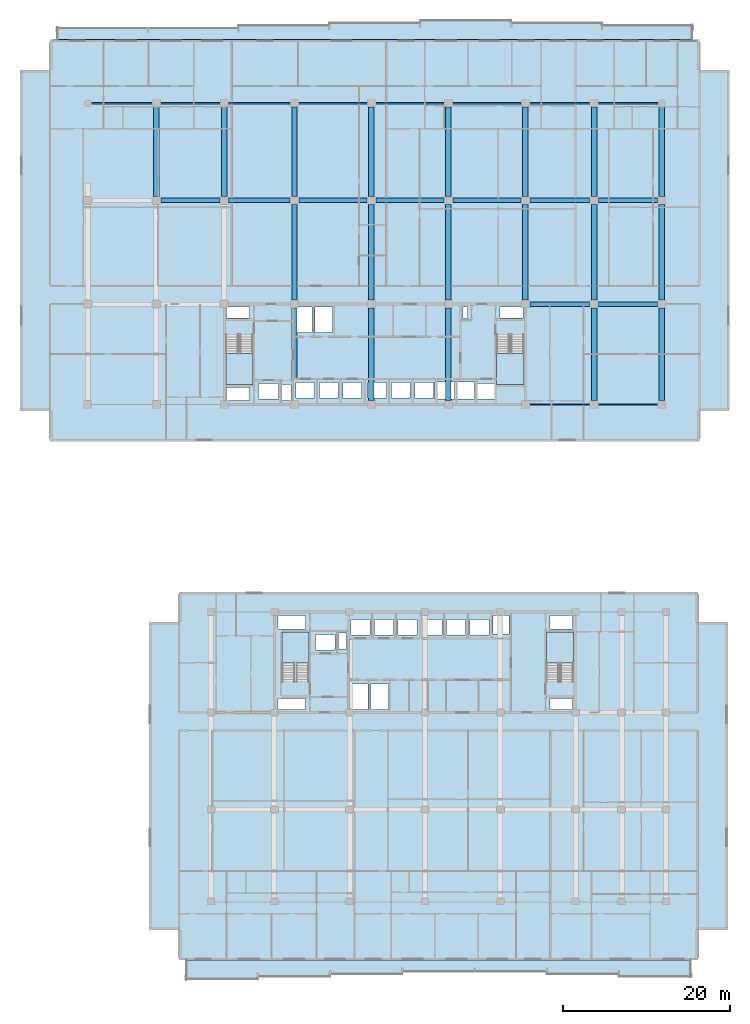
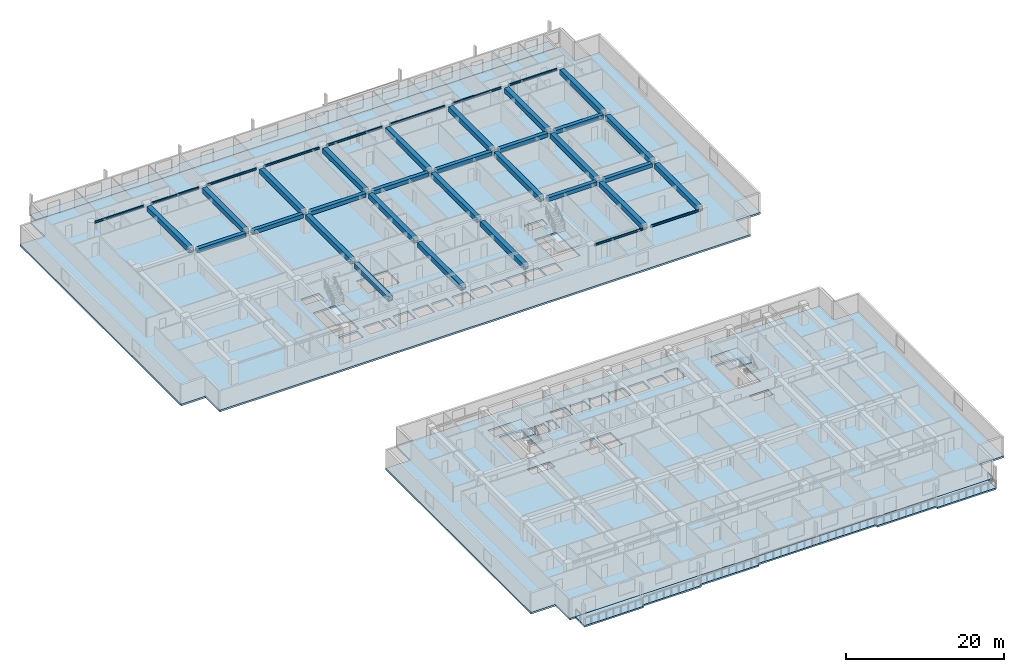
# One storey, part 2 of 23: 38 beams, 8 slabs, 4 elements without a shape of their own.
"""IFC4 building model written with IfcOpenShell, lengths in metres."""

from ifc_helpers import new_model, si_unit, direction, frame, origin, origin_2d, place, context, subcontext, project, spatial, polyline, rectangle, i_section, outline, extrude, material, layer, layer_set, material_profile, profile_set, type_object, element, aggregate, save


model = new_model("IFC4")

# Units and contexts
model_context = context("Model", 3, precision=1e-05, world=origin(), true_north=direction((0.0, 1.0)))
body_context = subcontext(model_context, "Body", "Model", "MODEL_VIEW")
ifc_project = project(units=[si_unit("LENGTHUNIT", "METRE"), si_unit("AREAUNIT", "SQUARE_METRE"), si_unit("VOLUMEUNIT", "CUBIC_METRE"), si_unit("PLANEANGLEUNIT", "RADIAN"), si_unit("MASSUNIT", "GRAM", prefix="KILO")], contexts=[model_context])

# Site, building, storey
site_placement = place(None, origin())
site = spatial("IfcSite", under=ifc_project, at=site_placement, CompositionType="ELEMENT")
building_placement = place(site_placement, origin())
building = spatial("IfcBuilding", under=site, at=building_placement, Name="Korimba Cascade Residences", CompositionType="ELEMENT")
storey_placement = place(building_placement, frame((0.0, 0.0, 56.5)))
storey = spatial("IfcBuildingStorey", under=building, at=storey_placement, Name="L15", CompositionType="ELEMENT", Elevation=56.5)

# Beams
ifc_material_1 = material(Name="Concrete C50/60", Category="concrete")
ifc_material_profile_1 = material_profile(ifc_material_1, rectangle(XDim=0.550048828125, YDim=0.60009765625, at=origin_2d()), Name="Concrete C50/60")
ifc_profile_set_1 = profile_set([ifc_material_profile_1], Name="Concrete C50/60")
beam_type_1 = type_object("IfcBeamType", Name="BM-RC-B600", PredefinedType="BEAM", material=ifc_profile_set_1)
beam_1_placement = place(storey_placement, frame((112.625, 67.199951171875, 2.669921875), z_axis=(1.0, 0.0, 0.0), x_axis=(0.0, 1.0, 0.0)))
element("IfcBeam", 1, at=beam_1_placement, inside=storey, type_object=beam_type_1, Name="L15 T1 E-W Girder Y2 Bay 7", PredefinedType="BEAM", context=body_context, shape_type="SweptSolid", body=[
    extrude(rectangle(XDim=0.550048828125, YDim=0.60009765625, at=origin_2d()), origin(), (0.0, 0.0, 1.0), 7.14990234375),
])
for number, where, z_axis, x_axis, name in (
    (2, (120.824951171875, 67.199951171875, 2.669921875), (1.0, 0.0, 0.0), (0.0, 1.0, 0.0), "L15 T1 E-W Girder Y2 Bay 8"),
    (3, (68.52490234375, 79.60009765625, 2.669921875), (1.0, 0.0, 0.0), (0.0, 1.0, 0.0), "L15 T1 E-W Girder Y3 Bay 2"),
):
    element("IfcBeam", number, at=place(storey_placement, frame(where, z_axis=z_axis, x_axis=x_axis)), inside=storey, type_object=beam_type_1, Name=name, PredefinedType="BEAM", context=body_context, shape_type="SweptSolid", body=[
        extrude(rectangle(XDim=0.550048828125, YDim=0.60009765625, at=origin_2d()), origin(), (0.0, 0.0, 1.0), 7.050048828125),
    ])
beam_2_placement = place(storey_placement, frame((76.625, 79.60009765625, 2.669921875), z_axis=(1.0, 0.0, 0.0), x_axis=(0.0, 1.0, 0.0)))
element("IfcBeam", 4, at=beam_2_placement, inside=storey, type_object=beam_type_1, Name="L15 T1 E-W Girder Y3 Bay 3", PredefinedType="BEAM", context=body_context, shape_type="SweptSolid", body=[
    extrude(rectangle(XDim=0.550048828125, YDim=0.60009765625, at=origin_2d()), origin(), (0.0, 0.0, 1.0), 7.35009765625),
])
beam_3_placement = place(storey_placement, frame((85.02490234375, 79.60009765625, 2.669921875), z_axis=(1.0, 0.0, 0.0), x_axis=(0.0, 1.0, 0.0)))
element("IfcBeam", 5, at=beam_3_placement, inside=storey, type_object=beam_type_1, Name="L15 T1 E-W Girder Y3 Bay 4", PredefinedType="BEAM", context=body_context, shape_type="SweptSolid", body=[
    extrude(rectangle(XDim=0.550048828125, YDim=0.60009765625, at=origin_2d()), origin(), (0.0, 0.0, 1.0), 8.150146484375),
])
for number, where, z_axis, x_axis, name in (
    (6, (94.22509765625, 79.60009765625, 2.669921875), (1.0, 0.0, 0.0), (0.0, 1.0, 0.0), "L15 T1 E-W Girder Y3 Bay 5"),
    (7, (103.425048828125, 79.60009765625, 2.669921875), (1.0, 0.0, 0.0), (0.0, 1.0, 0.0), "L15 T1 E-W Girder Y3 Bay 6"),
):
    element("IfcBeam", number, at=place(storey_placement, frame(where, z_axis=z_axis, x_axis=x_axis)), inside=storey, type_object=beam_type_1, Name=name, PredefinedType="BEAM", context=body_context, shape_type="SweptSolid", body=[
        extrude(rectangle(XDim=0.550048828125, YDim=0.60009765625, at=origin_2d()), origin(), (0.0, 0.0, 1.0), 8.14990234375),
    ])
beam_4_placement = place(storey_placement, frame((112.625, 79.60009765625, 2.669921875), z_axis=(1.0, 0.0, 0.0), x_axis=(0.0, 1.0, 0.0)))
element("IfcBeam", 8, at=beam_4_placement, inside=storey, type_object=beam_type_1, Name="L15 T1 E-W Girder Y3 Bay 7", PredefinedType="BEAM", context=body_context, shape_type="SweptSolid", body=[
    extrude(rectangle(XDim=0.550048828125, YDim=0.60009765625, at=origin_2d()), origin(), (0.0, 0.0, 1.0), 7.14990234375),
])
beam_5_placement = place(storey_placement, frame((120.824951171875, 79.60009765625, 2.669921875), z_axis=(1.0, 0.0, 0.0), x_axis=(0.0, 1.0, 0.0)))
element("IfcBeam", 9, at=beam_5_placement, inside=storey, type_object=beam_type_1, Name="L15 T1 E-W Girder Y3 Bay 8", PredefinedType="BEAM", context=body_context, shape_type="SweptSolid", body=[
    extrude(rectangle(XDim=0.550048828125, YDim=0.60009765625, at=origin_2d()), origin(), (0.0, 0.0, 1.0), 7.050048828125),
])
ifc_material_profile_2 = material_profile(ifc_material_1, rectangle(XDim=0.64990234375, YDim=0.75, at=origin_2d()), Name="Concrete C50/60")
ifc_profile_set_2 = profile_set([ifc_material_profile_2], Name="Concrete C50/60")
beam_type_2 = type_object("IfcBeamType", Name="BM-RC-G750", PredefinedType="BEAM", material=ifc_profile_set_2)
for number, where, z_axis, x_axis, name in (
    (10, (68.0, 80.074951171875, 2.594970703125), (0.0, 1.0, 0.0), (-1.0, 0.0, 0.0), "L15 T1 N-S Girder X2 Seg 3"),
    (11, (76.10009765625, 80.074951171875, 2.594970703125), (0.0, 1.0, 0.0), (-1.0, 0.0, 0.0), "L15 T1 N-S Girder X3 Seg 3"),
):
    element("IfcBeam", number, at=place(storey_placement, frame(where, z_axis=z_axis, x_axis=x_axis)), inside=storey, type_object=beam_type_2, Name=name, PredefinedType="BEAM", context=body_context, shape_type="SweptSolid", body=[
        extrude(rectangle(XDim=0.64990234375, YDim=0.75, at=origin_2d()), origin(), (0.0, 0.0, 1.0), 10.650146484375),
    ])
beam_6_placement = place(storey_placement, frame((84.5, 58.159912109375, 2.594970703125), z_axis=(0.0, 1.0, 0.0), x_axis=(-1.0, 0.0, 0.0)))
element("IfcBeam", 12, at=beam_6_placement, inside=storey, type_object=beam_type_2, Name="L15 T1 N-S Girder X4 Seg 1", PredefinedType="BEAM", context=body_context, shape_type="SweptSolid", body=[
    extrude(rectangle(XDim=0.64990234375, YDim=0.75, at=origin_2d()), origin(), (0.0, 0.0, 1.0), 8.565185546875),
])
beam_7_placement = place(storey_placement, frame((84.5, 67.675048828125, 2.594970703125), z_axis=(0.0, 1.0, 0.0), x_axis=(-1.0, 0.0, 0.0)))
element("IfcBeam", 13, at=beam_7_placement, inside=storey, type_object=beam_type_2, Name="L15 T1 N-S Girder X4 Seg 2", PredefinedType="BEAM", context=body_context, shape_type="SweptSolid", body=[
    extrude(rectangle(XDim=0.64990234375, YDim=0.75, at=origin_2d()), origin(), (0.0, 0.0, 1.0), 11.449951171875),
])
beam_8_placement = place(storey_placement, frame((84.5, 80.074951171875, 2.594970703125), z_axis=(0.0, 1.0, 0.0), x_axis=(-1.0, 0.0, 0.0)))
element("IfcBeam", 14, at=beam_8_placement, inside=storey, type_object=beam_type_2, Name="L15 T1 N-S Girder X4 Seg 3", PredefinedType="BEAM", context=body_context, shape_type="SweptSolid", body=[
    extrude(rectangle(XDim=0.64990234375, YDim=0.75, at=origin_2d()), origin(), (0.0, 0.0, 1.0), 10.650146484375),
])
beam_9_placement = place(storey_placement, frame((93.699951171875, 55.675048828125, 2.594970703125), z_axis=(0.0, 1.0, 0.0), x_axis=(-1.0, 0.0, 0.0)))
element("IfcBeam", 15, at=beam_9_placement, inside=storey, type_object=beam_type_2, Name="L15 T1 N-S Girder X5 Seg 1", PredefinedType="BEAM", context=body_context, shape_type="SweptSolid", body=[
    extrude(rectangle(XDim=0.64990234375, YDim=0.75, at=origin_2d()), origin(), (0.0, 0.0, 1.0), 11.050048828125),
])
beam_10_placement = place(storey_placement, frame((93.699951171875, 67.675048828125, 2.594970703125), z_axis=(0.0, 1.0, 0.0), x_axis=(-1.0, 0.0, 0.0)))
element("IfcBeam", 16, at=beam_10_placement, inside=storey, type_object=beam_type_2, Name="L15 T1 N-S Girder X5 Seg 2", PredefinedType="BEAM", context=body_context, shape_type="SweptSolid", body=[
    extrude(rectangle(XDim=0.64990234375, YDim=0.75, at=origin_2d()), origin(), (0.0, 0.0, 1.0), 11.449951171875),
])
beam_11_placement = place(storey_placement, frame((93.699951171875, 80.074951171875, 2.594970703125), z_axis=(0.0, 1.0, 0.0), x_axis=(-1.0, 0.0, 0.0)))
element("IfcBeam", 17, at=beam_11_placement, inside=storey, type_object=beam_type_2, Name="L15 T1 N-S Girder X5 Seg 3", PredefinedType="BEAM", context=body_context, shape_type="SweptSolid", body=[
    extrude(rectangle(XDim=0.64990234375, YDim=0.75, at=origin_2d()), origin(), (0.0, 0.0, 1.0), 10.650146484375),
])
beam_12_placement = place(storey_placement, frame((102.89990234375, 55.675048828125, 2.594970703125), z_axis=(0.0, 1.0, 0.0), x_axis=(-1.0, 0.0, 0.0)))
element("IfcBeam", 18, at=beam_12_placement, inside=storey, type_object=beam_type_2, Name="L15 T1 N-S Girder X6 Seg 1", PredefinedType="BEAM", context=body_context, shape_type="SweptSolid", body=[
    extrude(rectangle(XDim=0.64990234375, YDim=0.75, at=origin_2d()), origin(), (0.0, 0.0, 1.0), 11.050048828125),
])
beam_13_placement = place(storey_placement, frame((102.89990234375, 67.675048828125, 2.594970703125), z_axis=(0.0, 1.0, 0.0), x_axis=(-1.0, 0.0, 0.0)))
element("IfcBeam", 19, at=beam_13_placement, inside=storey, type_object=beam_type_2, Name="L15 T1 N-S Girder X6 Seg 2", PredefinedType="BEAM", context=body_context, shape_type="SweptSolid", body=[
    extrude(rectangle(XDim=0.64990234375, YDim=0.75, at=origin_2d()), origin(), (0.0, 0.0, 1.0), 11.449951171875),
])
beam_14_placement = place(storey_placement, frame((102.89990234375, 80.074951171875, 2.594970703125), z_axis=(0.0, 1.0, 0.0), x_axis=(-1.0, 0.0, 0.0)))
element("IfcBeam", 20, at=beam_14_placement, inside=storey, type_object=beam_type_2, Name="L15 T1 N-S Girder X6 Seg 3", PredefinedType="BEAM", context=body_context, shape_type="SweptSolid", body=[
    extrude(rectangle(XDim=0.64990234375, YDim=0.75, at=origin_2d()), origin(), (0.0, 0.0, 1.0), 10.650146484375),
])
beam_15_placement = place(storey_placement, frame((112.10009765625, 67.675048828125, 2.594970703125), z_axis=(0.0, 1.0, 0.0), x_axis=(-1.0, 0.0, 0.0)))
element("IfcBeam", 21, at=beam_15_placement, inside=storey, type_object=beam_type_2, Name="L15 T1 N-S Girder X7 Seg 2", PredefinedType="BEAM", context=body_context, shape_type="SweptSolid", body=[
    extrude(rectangle(XDim=0.64990234375, YDim=0.75, at=origin_2d()), origin(), (0.0, 0.0, 1.0), 11.449951171875),
])
beam_16_placement = place(storey_placement, frame((112.10009765625, 80.074951171875, 2.594970703125), z_axis=(0.0, 1.0, 0.0), x_axis=(-1.0, 0.0, 0.0)))
element("IfcBeam", 22, at=beam_16_placement, inside=storey, type_object=beam_type_2, Name="L15 T1 N-S Girder X7 Seg 3", PredefinedType="BEAM", context=body_context, shape_type="SweptSolid", body=[
    extrude(rectangle(XDim=0.64990234375, YDim=0.75, at=origin_2d()), origin(), (0.0, 0.0, 1.0), 10.650146484375),
])
beam_17_placement = place(storey_placement, frame((120.300048828125, 55.675048828125, 2.594970703125), z_axis=(0.0, 1.0, 0.0), x_axis=(-1.0, 0.0, 0.0)))
element("IfcBeam", 23, at=beam_17_placement, inside=storey, type_object=beam_type_2, Name="L15 T1 N-S Girder X8 Seg 1", PredefinedType="BEAM", context=body_context, shape_type="SweptSolid", body=[
    extrude(rectangle(XDim=0.64990234375, YDim=0.75, at=origin_2d()), origin(), (0.0, 0.0, 1.0), 11.050048828125),
])
beam_18_placement = place(storey_placement, frame((120.300048828125, 67.675048828125, 2.594970703125), z_axis=(0.0, 1.0, 0.0), x_axis=(-1.0, 0.0, 0.0)))
element("IfcBeam", 24, at=beam_18_placement, inside=storey, type_object=beam_type_2, Name="L15 T1 N-S Girder X8 Seg 2", PredefinedType="BEAM", context=body_context, shape_type="SweptSolid", body=[
    extrude(rectangle(XDim=0.64990234375, YDim=0.75, at=origin_2d()), origin(), (0.0, 0.0, 1.0), 11.449951171875),
])
beam_19_placement = place(storey_placement, frame((120.300048828125, 80.074951171875, 2.594970703125), z_axis=(0.0, 1.0, 0.0), x_axis=(-1.0, 0.0, 0.0)))
element("IfcBeam", 25, at=beam_19_placement, inside=storey, type_object=beam_type_2, Name="L15 T1 N-S Girder X8 Seg 3", PredefinedType="BEAM", context=body_context, shape_type="SweptSolid", body=[
    extrude(rectangle(XDim=0.64990234375, YDim=0.75, at=origin_2d()), origin(), (0.0, 0.0, 1.0), 10.650146484375),
])
beam_20_placement = place(storey_placement, frame((128.39990234375, 55.675048828125, 2.594970703125), z_axis=(0.0, 1.0, 0.0), x_axis=(-1.0, 0.0, 0.0)))
element("IfcBeam", 26, at=beam_20_placement, inside=storey, type_object=beam_type_2, Name="L15 T1 N-S Girder X9 Seg 1", PredefinedType="BEAM", context=body_context, shape_type="SweptSolid", body=[
    extrude(rectangle(XDim=0.64990234375, YDim=0.75, at=origin_2d()), origin(), (0.0, 0.0, 1.0), 11.050048828125),
])
beam_21_placement = place(storey_placement, frame((128.39990234375, 67.675048828125, 2.594970703125), z_axis=(0.0, 1.0, 0.0), x_axis=(-1.0, 0.0, 0.0)))
element("IfcBeam", 27, at=beam_21_placement, inside=storey, type_object=beam_type_2, Name="L15 T1 N-S Girder X9 Seg 2", PredefinedType="BEAM", context=body_context, shape_type="SweptSolid", body=[
    extrude(rectangle(XDim=0.64990234375, YDim=0.75, at=origin_2d()), origin(), (0.0, 0.0, 1.0), 11.449951171875),
])
beam_22_placement = place(storey_placement, frame((128.39990234375, 80.074951171875, 2.594970703125), z_axis=(0.0, 1.0, 0.0), x_axis=(-1.0, 0.0, 0.0)))
element("IfcBeam", 28, at=beam_22_placement, inside=storey, type_object=beam_type_2, Name="L15 T1 N-S Girder X9 Seg 3", PredefinedType="BEAM", context=body_context, shape_type="SweptSolid", body=[
    extrude(rectangle(XDim=0.64990234375, YDim=0.75, at=origin_2d()), origin(), (0.0, 0.0, 1.0), 10.650146484375),
])
ifc_material_2 = material(Name="Steel S355", Category="steel")
ifc_material_profile_3 = material_profile(ifc_material_2, i_section(OverallWidth=0.165771484375, OverallDepth=0.306640625, WebThickness=0.006591796875, FlangeThickness=0.01171875, FilletRadius=0.0087890625, at=origin_2d()), Name="Steel S355")
ifc_profile_set_3 = profile_set([ifc_material_profile_3], Name="Steel S355")
beam_type_3 = type_object("IfcBeamType", Name="BM-STL-UB305", PredefinedType="SPANDREL", material=ifc_profile_set_3)
beam_23_placement = place(storey_placement, frame((112.625, 55.199951171875, 2.816650390625), z_axis=(1.0, 0.0, 0.0), x_axis=(0.0, 1.0, 0.0)))
element("IfcBeam", 29, at=beam_23_placement, inside=storey, type_object=beam_type_3, Name="L15 T1 E-W Girder Y1 Bay 7", PredefinedType="SPANDREL", context=body_context, shape_type="SweptSolid", body=[
    extrude(i_section(OverallWidth=0.165771484375, OverallDepth=0.306640625, WebThickness=0.006591796875, FlangeThickness=0.01171875, FilletRadius=0.0087890625, at=origin_2d()), origin(), (0.0, 0.0, 1.0), 7.14990234375),
])
beam_24_placement = place(storey_placement, frame((120.824951171875, 55.199951171875, 2.816650390625), z_axis=(1.0, 0.0, 0.0), x_axis=(0.0, 1.0, 0.0)))
element("IfcBeam", 30, at=beam_24_placement, inside=storey, type_object=beam_type_3, Name="L15 T1 E-W Girder Y1 Bay 8", PredefinedType="SPANDREL", context=body_context, shape_type="SweptSolid", body=[
    extrude(i_section(OverallWidth=0.165771484375, OverallDepth=0.306640625, WebThickness=0.006591796875, FlangeThickness=0.01171875, FilletRadius=0.0087890625, at=origin_2d()), origin(), (0.0, 0.0, 1.0), 7.050048828125),
])
beam_25_placement = place(storey_placement, frame((60.27490234375, 91.199951171875, 2.816650390625), z_axis=(1.0, 0.0, 0.0), x_axis=(0.0, 1.0, 0.0)))
element("IfcBeam", 31, at=beam_25_placement, inside=storey, type_object=beam_type_3, Name="L15 T1 E-W Girder Y4 Bay 1", PredefinedType="SPANDREL", context=body_context, shape_type="SweptSolid", body=[
    extrude(i_section(OverallWidth=0.165771484375, OverallDepth=0.306640625, WebThickness=0.006591796875, FlangeThickness=0.01171875, FilletRadius=0.0087890625, at=origin_2d()), origin(), (0.0, 0.0, 1.0), 7.2001953125),
])
beam_26_placement = place(storey_placement, frame((68.52490234375, 91.199951171875, 2.816650390625), z_axis=(1.0, 0.0, 0.0), x_axis=(0.0, 1.0, 0.0)))
element("IfcBeam", 32, at=beam_26_placement, inside=storey, type_object=beam_type_3, Name="L15 T1 E-W Girder Y4 Bay 2", PredefinedType="SPANDREL", context=body_context, shape_type="SweptSolid", body=[
    extrude(i_section(OverallWidth=0.165771484375, OverallDepth=0.306640625, WebThickness=0.006591796875, FlangeThickness=0.01171875, FilletRadius=0.0087890625, at=origin_2d()), origin(), (0.0, 0.0, 1.0), 7.050048828125),
])
beam_27_placement = place(storey_placement, frame((76.625, 91.199951171875, 2.816650390625), z_axis=(1.0, 0.0, 0.0), x_axis=(0.0, 1.0, 0.0)))
element("IfcBeam", 33, at=beam_27_placement, inside=storey, type_object=beam_type_3, Name="L15 T1 E-W Girder Y4 Bay 3", PredefinedType="SPANDREL", context=body_context, shape_type="SweptSolid", body=[
    extrude(i_section(OverallWidth=0.165771484375, OverallDepth=0.306640625, WebThickness=0.006591796875, FlangeThickness=0.01171875, FilletRadius=0.0087890625, at=origin_2d()), origin(), (0.0, 0.0, 1.0), 7.35009765625),
])
beam_28_placement = place(storey_placement, frame((85.02490234375, 91.199951171875, 2.816650390625), z_axis=(1.0, 0.0, 0.0), x_axis=(0.0, 1.0, 0.0)))
element("IfcBeam", 34, at=beam_28_placement, inside=storey, type_object=beam_type_3, Name="L15 T1 E-W Girder Y4 Bay 4", PredefinedType="SPANDREL", context=body_context, shape_type="SweptSolid", body=[
    extrude(i_section(OverallWidth=0.165771484375, OverallDepth=0.306640625, WebThickness=0.006591796875, FlangeThickness=0.01171875, FilletRadius=0.0087890625, at=origin_2d()), origin(), (0.0, 0.0, 1.0), 8.150146484375),
])
for number, where, z_axis, x_axis, name in (
    (35, (94.22509765625, 91.199951171875, 2.816650390625), (1.0, 0.0, 0.0), (0.0, 1.0, 0.0), "L15 T1 E-W Girder Y4 Bay 5"),
    (36, (103.425048828125, 91.199951171875, 2.816650390625), (1.0, 0.0, 0.0), (0.0, 1.0, 0.0), "L15 T1 E-W Girder Y4 Bay 6"),
):
    element("IfcBeam", number, at=place(storey_placement, frame(where, z_axis=z_axis, x_axis=x_axis)), inside=storey, type_object=beam_type_3, Name=name, PredefinedType="SPANDREL", context=body_context, shape_type="SweptSolid", body=[
        extrude(i_section(OverallWidth=0.165771484375, OverallDepth=0.306640625, WebThickness=0.006591796875, FlangeThickness=0.01171875, FilletRadius=0.0087890625, at=origin_2d()), origin(), (0.0, 0.0, 1.0), 8.14990234375),
    ])
beam_29_placement = place(storey_placement, frame((112.625, 91.199951171875, 2.816650390625), z_axis=(1.0, 0.0, 0.0), x_axis=(0.0, 1.0, 0.0)))
element("IfcBeam", 37, at=beam_29_placement, inside=storey, type_object=beam_type_3, Name="L15 T1 E-W Girder Y4 Bay 7", PredefinedType="SPANDREL", context=body_context, shape_type="SweptSolid", body=[
    extrude(i_section(OverallWidth=0.165771484375, OverallDepth=0.306640625, WebThickness=0.006591796875, FlangeThickness=0.01171875, FilletRadius=0.0087890625, at=origin_2d()), origin(), (0.0, 0.0, 1.0), 7.14990234375),
])
beam_30_placement = place(storey_placement, frame((120.824951171875, 91.199951171875, 2.816650390625), z_axis=(1.0, 0.0, 0.0), x_axis=(0.0, 1.0, 0.0)))
element("IfcBeam", 38, at=beam_30_placement, inside=storey, type_object=beam_type_3, Name="L15 T1 E-W Girder Y4 Bay 8", PredefinedType="SPANDREL", context=body_context, shape_type="SweptSolid", body=[
    extrude(i_section(OverallWidth=0.165771484375, OverallDepth=0.306640625, WebThickness=0.006591796875, FlangeThickness=0.01171875, FilletRadius=0.0087890625, at=origin_2d()), origin(), (0.0, 0.0, 1.0), 7.10009765625),
])

# Stair, slab
stair_type_1 = type_object("IfcStairType", Name="STR-W1-18R-1806", PredefinedType="HALF_TURN_STAIR", material=ifc_material_1)
stair_1_placement = place(storey_placement, origin())
stair_1 = element("IfcStair", 39, at=stair_1_placement, inside=storey, type_object=stair_type_1, Name="L15 Tower 1 West Fire Stair ST-W1", PredefinedType="HALF_TURN_STAIR")
ifc_layer_1 = layer(ifc_material_1, 0.199951171875)
ifc_layer_set_1 = layer_set([ifc_layer_1], Name="Concrete C50/60")
slab_type_1 = type_object("IfcSlabType", Name="SLB-LND-220", PredefinedType="LANDING", material=ifc_layer_set_1)
slab_1_placement = place(storey_placement, frame((0.0, 0.0, 1.425048828125)))
slab_1 = element("IfcSlab", 40, at=slab_1_placement, type_object=slab_type_1, Name="ST-W1 landing 1", PredefinedType="LANDING", context=body_context, shape_type="SweptSolid", body=[
    extrude(outline(polyline([(76.300048828125, 61.31005859375), (76.300048828125, 57.60009765625), (79.5400390625, 57.60009765625), (79.5400390625, 61.31005859375), (76.300048828125, 61.31005859375)])), origin(), (0.0, 0.0, 1.0), 0.199951171875),
])
aggregate(stair_1, [slab_1])

stair_type_2 = type_object("IfcStairType", Name="STR-W2-18R-1806", PredefinedType="HALF_TURN_STAIR", material=ifc_material_1)
stair_2_placement = place(storey_placement, origin())
stair_2 = element("IfcStair", 41, at=stair_2_placement, inside=storey, type_object=stair_type_2, Name="L15 Tower 1 East Fire Stair ST-W2", PredefinedType="HALF_TURN_STAIR")
slab_2_placement = place(storey_placement, frame((0.0, 0.0, 1.425048828125)))
slab_2 = element("IfcSlab", 42, at=slab_2_placement, type_object=slab_type_1, Name="ST-W2 landing 1", PredefinedType="LANDING", context=body_context, shape_type="SweptSolid", body=[
    extrude(outline(polyline([(108.659912109375, 61.31005859375), (108.659912109375, 57.60009765625), (111.89990234375, 57.60009765625), (111.89990234375, 61.31005859375), (108.659912109375, 61.31005859375)])), origin(), (0.0, 0.0, 1.0), 0.199951171875),
])
aggregate(stair_2, [slab_2])

stair_type_3 = type_object("IfcStairType", Name="STR-E1-18R-1806", PredefinedType="HALF_TURN_STAIR", material=ifc_material_1)
stair_3_placement = place(storey_placement, origin())
stair_3 = element("IfcStair", 43, at=stair_3_placement, inside=storey, type_object=stair_type_3, Name="L15 Tower 2 West Fire Stair ST-E1", PredefinedType="HALF_TURN_STAIR")
slab_3_placement = place(storey_placement, frame((0.0, 0.0, 1.425048828125)))
slab_3 = element("IfcSlab", 44, at=slab_3_placement, type_object=slab_type_1, Name="ST-E1 landing 1", PredefinedType="LANDING", context=body_context, shape_type="SweptSolid", body=[
    extrude(outline(polyline([(86.239990234375, 24.2900390625), (86.239990234375, 28.0), (83.0, 28.0), (83.0, 24.2900390625), (86.239990234375, 24.2900390625)])), origin(), (0.0, 0.0, 1.0), 0.199951171875),
])
aggregate(stair_3, [slab_3])

stair_type_4 = type_object("IfcStairType", Name="STR-E2-18R-1806", PredefinedType="HALF_TURN_STAIR", material=ifc_material_1)
stair_4_placement = place(storey_placement, origin())
stair_4 = element("IfcStair", 45, at=stair_4_placement, inside=storey, type_object=stair_type_4, Name="L15 Tower 2 East Fire Stair ST-E2", PredefinedType="HALF_TURN_STAIR")
slab_4_placement = place(storey_placement, frame((0.0, 0.0, 1.425048828125)))
slab_4 = element("IfcSlab", 46, at=slab_4_placement, type_object=slab_type_1, Name="ST-E2 landing 1", PredefinedType="LANDING", context=body_context, shape_type="SweptSolid", body=[
    extrude(outline(polyline([(117.840087890625, 24.2900390625), (117.840087890625, 28.0), (114.60009765625, 28.0), (114.60009765625, 24.2900390625), (117.840087890625, 24.2900390625)])), origin(), (0.0, 0.0, 1.0), 0.199951171875),
])
aggregate(stair_4, [slab_4])

# Slabs
ifc_material_3 = material(Name="Precast concrete C40/50", Category="concrete")
ifc_layer_2 = layer(ifc_material_3, 0.239990234375)
ifc_layer_set_2 = layer_set([ifc_layer_2], Name="Precast concrete C40/50")
slab_type_2 = type_object("IfcSlabType", Name="SLB-LOG-240", PredefinedType="FLOOR", material=ifc_layer_set_2)
slab_5_placement = place(storey_placement, frame((0.0, 0.0, -0.239990234375)))
element("IfcSlab", 47, at=slab_5_placement, inside=storey, type_object=slab_type_2, Name="L15 Tower 1 North Loggia Slab", PredefinedType="FLOOR", context=body_context, shape_type="SweptSolid", body=[
    extrude(outline(polyline([(56.10009765625, 98.800048828125), (132.10009765625, 98.800048828125), (132.10009765625, 100.550048828125), (121.242919921875, 100.550048828125), (121.242919921875, 100.85009765625), (110.3857421875, 100.85009765625), (110.3857421875, 101.14990234375), (99.528564453125, 101.14990234375), (99.528564453125, 100.85009765625), (88.67138671875, 100.85009765625), (88.67138671875, 100.550048828125), (77.814208984375, 100.550048828125), (77.814208984375, 100.25), (56.10009765625, 100.25), (56.10009765625, 98.800048828125)])), origin(), (0.0, 0.0, 1.0), 0.239990234375),
])
slab_6_placement = place(storey_placement, frame((0.0, 0.0, -0.239990234375)))
element("IfcSlab", 48, at=slab_6_placement, inside=storey, type_object=slab_type_2, Name="L15 Tower 2 South Loggia Slab", PredefinedType="FLOOR", context=body_context, shape_type="SweptSolid", body=[
    extrude(outline(polyline([(71.5, -13.550048828125), (80.128662109375, -13.550048828125), (80.128662109375, -13.25), (88.757080078125, -13.25), (88.757080078125, -12.949951171875), (97.3857421875, -12.949951171875), (97.3857421875, -12.64990234375), (114.642822265625, -12.64990234375), (114.642822265625, -12.949951171875), (123.271484375, -12.949951171875), (123.271484375, -13.25), (131.89990234375, -13.25), (131.89990234375, -11.199951171875), (71.5, -11.199951171875), (71.5, -13.550048828125)])), origin(), (0.0, 0.0, 1.0), 0.239990234375),
])
ifc_layer_3 = layer(ifc_material_1, 0.280029296875)
ifc_layer_set_3 = layer_set([ifc_layer_3], Name="Concrete C50/60")
slab_type_3 = type_object("IfcSlabType", Name="SLB-TYP-280", PredefinedType="FLOOR", material=ifc_layer_set_3)
slab_7_placement = place(storey_placement, frame((0.0, 0.0, -0.280029296875)))
element("IfcSlab", 49, at=slab_7_placement, inside=storey, type_object=slab_type_3, Name="L15 Tower 1 Floor Slab", PredefinedType="FLOOR", context=body_context, shape_type="SweptSolid", body=[
    extrude(outline(polyline([(55.300048828125, 50.800048828125), (132.89990234375, 50.800048828125), (132.89990234375, 54.39990234375), (136.5, 54.39990234375), (136.5, 95.199951171875), (132.89990234375, 95.199951171875), (132.89990234375, 98.800048828125), (55.300048828125, 98.800048828125), (55.300048828125, 95.199951171875), (51.699951171875, 95.199951171875), (51.699951171875, 54.39990234375), (55.300048828125, 54.39990234375), (55.300048828125, 50.800048828125)]), holes=[polyline([(76.300048828125, 63.514892578125), (76.300048828125, 57.60009765625), (79.5400390625, 57.60009765625), (79.5400390625, 63.514892578125), (76.300048828125, 63.514892578125)]), polyline([(108.659912109375, 63.514892578125), (108.659912109375, 57.60009765625), (111.89990234375, 57.60009765625), (111.89990234375, 63.514892578125), (108.659912109375, 63.514892578125)]), polyline([(80.22998046875, 55.8798828125), (82.570068359375, 55.8798828125), (82.570068359375, 57.719970703125), (80.22998046875, 57.719970703125), (80.22998046875, 55.8798828125)]), polyline([(106.080078125, 55.8798828125), (108.419921875, 55.8798828125), (108.419921875, 57.719970703125), (106.080078125, 57.719970703125), (106.080078125, 55.8798828125)]), polyline([(84.679931640625, 55.97998046875), (86.919921875, 55.97998046875), (86.919921875, 57.820068359375), (84.679931640625, 57.820068359375), (84.679931640625, 55.97998046875)]), polyline([(87.47998046875, 55.97998046875), (89.719970703125, 55.97998046875), (89.719970703125, 57.820068359375), (87.47998046875, 57.820068359375), (87.47998046875, 55.97998046875)]), polyline([(90.280029296875, 55.97998046875), (92.52001953125, 55.97998046875), (92.52001953125, 57.820068359375), (90.280029296875, 57.820068359375), (90.280029296875, 55.97998046875)]), polyline([(93.280029296875, 55.97998046875), (95.52001953125, 55.97998046875), (95.52001953125, 57.820068359375), (93.280029296875, 57.820068359375), (93.280029296875, 55.97998046875)]), polyline([(96.080078125, 55.97998046875), (98.320068359375, 55.97998046875), (98.320068359375, 57.820068359375), (96.080078125, 57.820068359375), (96.080078125, 55.97998046875)]), polyline([(98.8798828125, 55.97998046875), (101.1201171875, 55.97998046875), (101.1201171875, 57.820068359375), (98.8798828125, 57.820068359375), (98.8798828125, 55.97998046875)]), polyline([(101.304931640625, 55.8798828125), (103.594970703125, 55.8798828125), (103.594970703125, 57.919921875), (101.304931640625, 57.919921875), (101.304931640625, 55.8798828125)]), polyline([(103.705078125, 55.8798828125), (105.9951171875, 55.8798828125), (105.9951171875, 57.919921875), (103.705078125, 57.919921875), (103.705078125, 55.8798828125)]), polyline([(82.97998046875, 55.679931640625), (84.080078125, 55.679931640625), (84.080078125, 57.6201171875), (82.97998046875, 57.6201171875), (82.97998046875, 55.679931640625)]), polyline([(76.39990234375, 65.56005859375), (79.10009765625, 65.56005859375), (79.10009765625, 66.8798828125), (76.39990234375, 66.8798828125), (76.39990234375, 65.56005859375)]), polyline([(76.39990234375, 55.679931640625), (79.10009765625, 55.679931640625), (79.10009765625, 57.239990234375), (76.39990234375, 57.239990234375), (76.39990234375, 55.679931640625)]), polyline([(84.530029296875, 63.820068359375), (86.6201171875, 63.820068359375), (86.6201171875, 66.8798828125), (84.530029296875, 66.8798828125), (84.530029296875, 63.820068359375)]), polyline([(86.97998046875, 63.820068359375), (89.070068359375, 63.820068359375), (89.070068359375, 66.8798828125), (86.97998046875, 66.8798828125), (86.97998046875, 63.820068359375)]), polyline([(104.6201171875, 65.4599609375), (105.179931640625, 65.4599609375), (105.179931640625, 66.8798828125), (104.6201171875, 66.8798828125), (104.6201171875, 65.4599609375)]), polyline([(109.080078125, 65.56005859375), (111.800048828125, 65.56005859375), (111.800048828125, 66.8798828125), (109.080078125, 66.8798828125), (109.080078125, 65.56005859375)])]), origin(), (0.0, 0.0, 1.0), 0.280029296875),
])
slab_8_placement = place(storey_placement, frame((0.0, 0.0, -0.280029296875)))
element("IfcSlab", 50, at=slab_8_placement, inside=storey, type_object=slab_type_3, Name="L15 Tower 2 Floor Slab", PredefinedType="FLOOR", context=body_context, shape_type="SweptSolid", body=[
    extrude(outline(polyline([(70.699951171875, -11.199951171875), (132.699951171875, -11.199951171875), (132.699951171875, -7.60009765625), (136.300048828125, -7.60009765625), (136.300048828125, 29.199951171875), (132.699951171875, 29.199951171875), (132.699951171875, 32.800048828125), (70.699951171875, 32.800048828125), (70.699951171875, 29.199951171875), (67.10009765625, 29.199951171875), (67.10009765625, -7.60009765625), (70.699951171875, -7.60009765625), (70.699951171875, -11.199951171875)]), holes=[polyline([(86.239990234375, 22.0849609375), (86.239990234375, 28.0), (83.0, 28.0), (83.0, 22.0849609375), (86.239990234375, 22.0849609375)]), polyline([(117.840087890625, 22.0849609375), (117.840087890625, 28.0), (114.60009765625, 28.0), (114.60009765625, 22.0849609375), (117.840087890625, 22.0849609375)]), polyline([(87.030029296875, 25.8798828125), (89.3701171875, 25.8798828125), (89.3701171875, 27.719970703125), (87.030029296875, 27.719970703125), (87.030029296875, 25.8798828125)]), polyline([(91.280029296875, 27.679931640625), (93.52001953125, 27.679931640625), (93.52001953125, 29.52001953125), (91.280029296875, 29.52001953125), (91.280029296875, 27.679931640625)]), polyline([(94.080078125, 27.679931640625), (96.320068359375, 27.679931640625), (96.320068359375, 29.52001953125), (94.080078125, 29.52001953125), (94.080078125, 27.679931640625)]), polyline([(96.8798828125, 27.679931640625), (99.1201171875, 27.679931640625), (99.1201171875, 29.52001953125), (96.8798828125, 29.52001953125), (96.8798828125, 27.679931640625)]), polyline([(99.8798828125, 27.679931640625), (102.1201171875, 27.679931640625), (102.1201171875, 29.52001953125), (99.8798828125, 29.52001953125), (99.8798828125, 27.679931640625)]), polyline([(102.679931640625, 27.679931640625), (104.919921875, 27.679931640625), (104.919921875, 29.52001953125), (102.679931640625, 29.52001953125), (102.679931640625, 27.679931640625)]), polyline([(105.47998046875, 27.679931640625), (107.719970703125, 27.679931640625), (107.719970703125, 29.52001953125), (105.47998046875, 29.52001953125), (105.47998046875, 27.679931640625)]), polyline([(89.780029296875, 25.97998046875), (90.719970703125, 25.97998046875), (90.719970703125, 27.919921875), (89.780029296875, 27.919921875), (89.780029296875, 25.97998046875)]), polyline([(82.530029296875, 18.72998046875), (85.800048828125, 18.72998046875), (85.800048828125, 20.0400390625), (82.530029296875, 20.0400390625), (82.530029296875, 18.72998046875)]), polyline([(82.530029296875, 28.360107421875), (85.800048828125, 28.360107421875), (85.800048828125, 29.969970703125), (82.530029296875, 29.969970703125), (82.530029296875, 28.360107421875)]), polyline([(108.22998046875, 27.780029296875), (110.1201171875, 27.780029296875), (110.1201171875, 29.969970703125), (108.22998046875, 29.969970703125), (108.22998046875, 27.780029296875)]), polyline([(91.22998046875, 18.72998046875), (93.27001953125, 18.72998046875), (93.27001953125, 21.780029296875), (91.22998046875, 21.780029296875), (91.22998046875, 18.72998046875)]), polyline([(93.6298828125, 18.72998046875), (95.719970703125, 18.72998046875), (95.719970703125, 21.780029296875), (93.6298828125, 21.780029296875), (93.6298828125, 18.72998046875)]), polyline([(115.02001953125, 18.72998046875), (117.739990234375, 18.72998046875), (117.739990234375, 20.0400390625), (115.02001953125, 20.0400390625), (115.02001953125, 18.72998046875)]), polyline([(115.02001953125, 28.360107421875), (117.739990234375, 28.360107421875), (117.739990234375, 29.969970703125), (115.02001953125, 29.969970703125), (115.02001953125, 28.360107421875)])]), origin(), (0.0, 0.0, 1.0), 0.280029296875),
])

save(model, "model.ifc")
